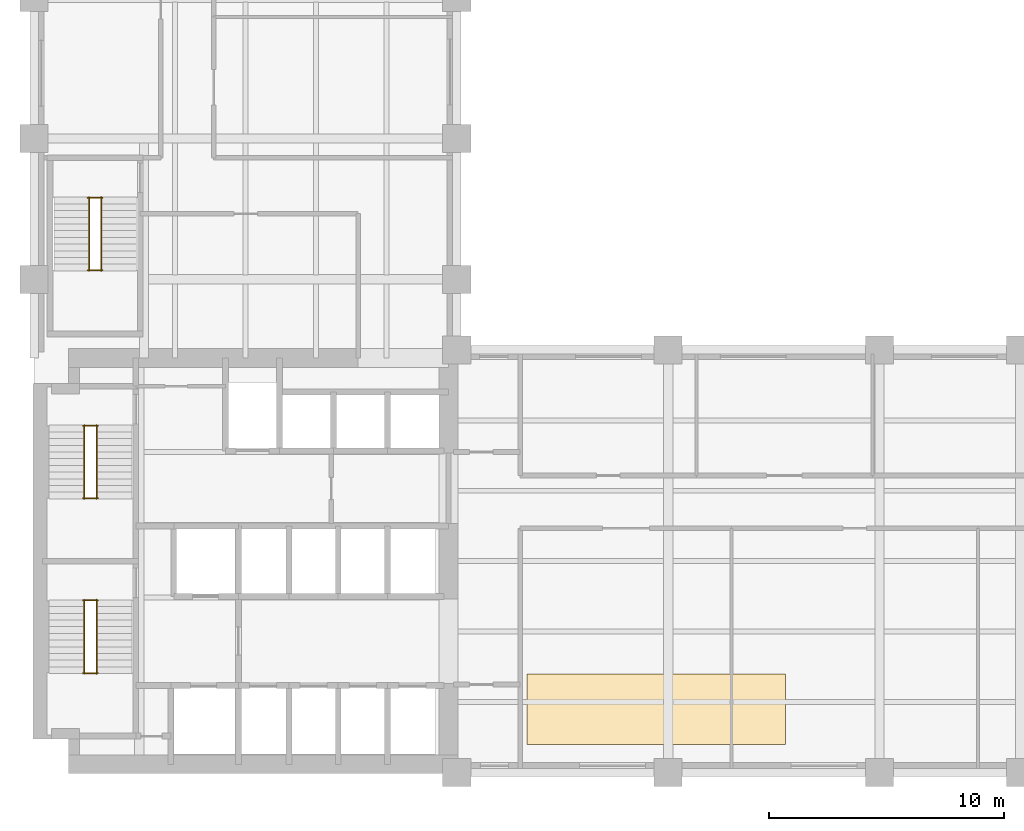
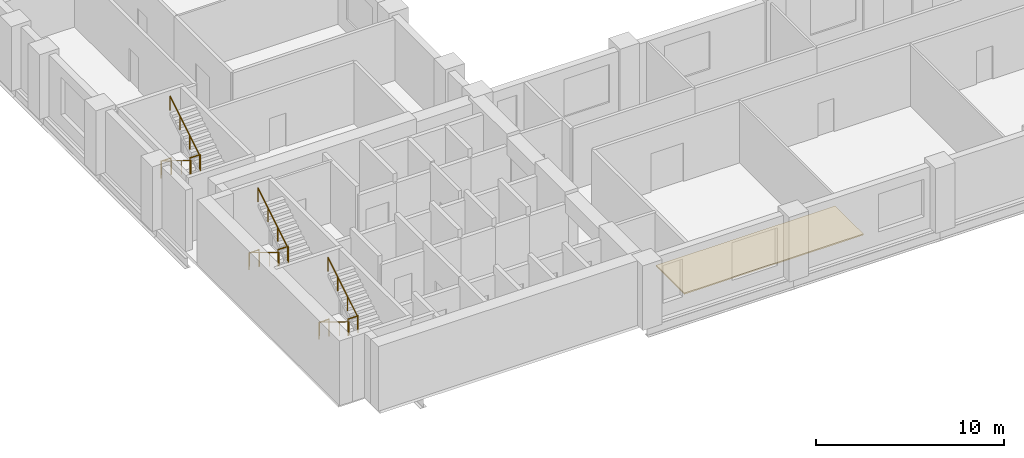
# One storey, part 7 of 7: 12 railings, 1 covering.
"""IFC4 building model written with IfcOpenShell, lengths in metres."""

from ifc_helpers import new_model, si_unit, direction, frame, origin, origin_2d, place, context, subcontext, project, spatial, polyline, circle, outline, extrude, material, layer, layer_set, type_object, element, save


model = new_model("IFC4")

# Units and contexts
model_context = context("Model", 3, precision=1e-05, world=origin(), true_north=direction((0.0, 1.0)))
body_context = subcontext(model_context, "Body", "Model", "MODEL_VIEW")
ifc_project = project(units=[si_unit("LENGTHUNIT", "METRE"), si_unit("AREAUNIT", "SQUARE_METRE"), si_unit("VOLUMEUNIT", "CUBIC_METRE"), si_unit("PLANEANGLEUNIT", "RADIAN"), si_unit("MASSUNIT", "GRAM", prefix="KILO")], contexts=[model_context])

# Site, building, storey
site_placement = place(None, origin())
site = spatial("IfcSite", under=ifc_project, at=site_placement, CompositionType="ELEMENT")
building_placement = place(site_placement, origin())
building = spatial("IfcBuilding", under=site, at=building_placement, Name="Mawjdan Bourse Tower", CompositionType="ELEMENT")
storey_placement = place(building_placement, frame((0.0, 0.0, 42.60009765625)))
storey = spatial("IfcBuildingStorey", under=building, at=storey_placement, Name="L09", CompositionType="ELEMENT", Elevation=42.60009765625)

# Covering
ifc_material_1 = material(Name="Calcium Sulphate Antistatic Raised Floor Tile")
ifc_layer = layer(ifc_material_1, 0.080078125)
ifc_layer_set = layer_set([ifc_layer], Name="Calcium Sulphate Antistatic Raised Floor Tile")
covering_type = type_object("IfcCoveringType", Name="COV-FLR-450", PredefinedType="FLOORING", material=ifc_layer_set)
covering_placement = place(storey_placement, origin())
element("IfcCovering", 1, at=covering_placement, inside=storey, type_object=covering_type, Name="L09 Antistatic Raised Access Trading Floor", PredefinedType="FLOORING", context=body_context, shape_type="SweptSolid", body=[
    extrude(outline(polyline([(27.0, 4.199951171875), (38.0, 4.199951171875), (38.0, 7.199951171875), (27.0, 7.199951171875), (27.0, 4.199951171875)])), origin(), (0.0, 0.0, 1.0), 0.079833984375),
])

# Railings
ifc_material_2 = material(Name="Structural Steel S355", Category="steel")
railing_type_1 = type_object("IfcRailingType", Name="RLG-GRD-1100", PredefinedType="GUARDRAIL", material=ifc_material_2)
for number, where, name in (
    (2, (8.090087890625, 7.235107421875, 2.099853515625), "L09 ST1 Landing Guardrail GL-MID"),
    (3, (8.090087890625, 10.330078125, 0.0), "L09 ST1 Landing Guardrail GL-BOT"),
    (4, (8.090087890625, 14.675048828125, 2.099853515625), "L09 ST2 Landing Guardrail GL-MID"),
    (5, (8.090087890625, 17.77001953125, 0.0), "L09 ST2 Landing Guardrail GL-BOT"),
    (6, (8.2900390625, 24.385009765625, 2.099853515625), "L09 ST3 Landing Guardrail GL-MID"),
    (7, (8.2900390625, 27.47998046875, 0.0), "L09 ST3 Landing Guardrail GL-BOT"),
):
    element("IfcRailing", number, at=place(storey_placement, frame(where)), inside=storey, type_object=railing_type_1, Name=name, PredefinedType="GUARDRAIL", context=body_context, shape_type="SweptSolid", body=[
        extrude(circle(Radius=0.02490234375, at=origin_2d()), frame((0.0, 0.0, 1.0751953125), z_axis=(1.0, 0.0, 0.0), x_axis=(0.0, 1.0, 0.0)), (0.0, 0.0, 1.0), 0.619873046875),
        extrude(circle(Radius=0.02099609375, at=origin_2d()), origin(), (0.0, 0.0, 1.0), 1.050048828125),
        extrude(circle(Radius=0.02099609375, at=origin_2d()), frame((0.619873046875, 0.0, 0.0)), (0.0, 0.0, 1.0), 1.050048828125),
    ])
ifc_material_3 = material(Name="Brushed Stainless Steel", Category="steel")
railing_type_2 = type_object("IfcRailingType", Name="RLG-HND-920", PredefinedType="HANDRAIL", material=ifc_material_3)
railing_1_placement = place(storey_placement, frame((8.139892578125, 10.35009765625, 0.1748046875)))
element("IfcRailing", 8, at=railing_1_placement, inside=storey, type_object=railing_type_2, Name="L09 ST1 Flight Handrail HR1", PredefinedType="HANDRAIL", context=body_context, shape_type="SweptSolid", body=[
    extrude(circle(Radius=0.0224609375, at=origin_2d()), frame((0.0, 0.0, 0.8974609375), z_axis=(0.0, -0.852166034122, 0.523271488128), x_axis=(1.0, 0.0, 0.0)), (0.0, 0.0, 1.0), 3.678955078125),
    extrude(circle(Radius=0.01904296875, at=origin_2d()), origin(), (0.0, 0.0, 1.0), 0.875),
    extrude(circle(Radius=0.01904296875, at=origin_2d()), frame((0.0, -1.044921875, 0.6416015625)), (0.0, 0.0, 1.0), 0.875),
    extrude(circle(Radius=0.01904296875, at=origin_2d()), frame((0.0, -2.090087890625, 1.283447265625)), (0.0, 0.0, 1.0), 0.875),
    extrude(circle(Radius=0.01904296875, at=origin_2d()), frame((0.0, -3.135009765625, 1.925048828125)), (0.0, 0.0, 1.0), 0.875),
])
railing_2_placement = place(storey_placement, frame((8.659912109375, 7.215087890625, 2.27490234375)))
element("IfcRailing", 9, at=railing_2_placement, inside=storey, type_object=railing_type_2, Name="L09 ST1 Flight Handrail HR2", PredefinedType="HANDRAIL", context=body_context, shape_type="SweptSolid", body=[
    extrude(circle(Radius=0.0224609375, at=origin_2d()), frame((0.0, 0.0, 0.8974609375), z_axis=(0.0, 0.852166034122, 0.523271488128), x_axis=(-1.0, 0.0, 0.0)), (0.0, 0.0, 1.0), 3.678955078125),
    extrude(circle(Radius=0.01904296875, at=origin_2d()), origin(), (0.0, 0.0, 1.0), 0.875),
    extrude(circle(Radius=0.01904296875, at=origin_2d()), frame((0.0, 1.044921875, 0.6416015625)), (0.0, 0.0, 1.0), 0.875),
    extrude(circle(Radius=0.01904296875, at=origin_2d()), frame((0.0, 2.090087890625, 1.283447265625)), (0.0, 0.0, 1.0), 0.875),
    extrude(circle(Radius=0.01904296875, at=origin_2d()), frame((0.0, 3.135009765625, 1.925048828125)), (0.0, 0.0, 1.0), 0.875),
])
railing_3_placement = place(storey_placement, frame((8.139892578125, 17.7900390625, 0.1748046875)))
element("IfcRailing", 10, at=railing_3_placement, inside=storey, type_object=railing_type_2, Name="L09 ST2 Flight Handrail HR1", PredefinedType="HANDRAIL", context=body_context, shape_type="SweptSolid", body=[
    extrude(circle(Radius=0.0224609375, at=origin_2d()), frame((0.0, 0.0, 0.8974609375), z_axis=(0.0, -0.852166034122, 0.523271488128), x_axis=(1.0, 0.0, 0.0)), (0.0, 0.0, 1.0), 3.678955078125),
    extrude(circle(Radius=0.01904296875, at=origin_2d()), origin(), (0.0, 0.0, 1.0), 0.875),
    extrude(circle(Radius=0.01904296875, at=origin_2d()), frame((0.0, -1.044921875, 0.6416015625)), (0.0, 0.0, 1.0), 0.875),
    extrude(circle(Radius=0.01904296875, at=origin_2d()), frame((0.0, -2.090087890625, 1.283447265625)), (0.0, 0.0, 1.0), 0.875),
    extrude(circle(Radius=0.01904296875, at=origin_2d()), frame((0.0, -3.135009765625, 1.925048828125)), (0.0, 0.0, 1.0), 0.875),
])
railing_4_placement = place(storey_placement, frame((8.659912109375, 14.655029296875, 2.27490234375)))
element("IfcRailing", 11, at=railing_4_placement, inside=storey, type_object=railing_type_2, Name="L09 ST2 Flight Handrail HR2", PredefinedType="HANDRAIL", context=body_context, shape_type="SweptSolid", body=[
    extrude(circle(Radius=0.0224609375, at=origin_2d()), frame((0.0, 0.0, 0.8974609375), z_axis=(0.0, 0.852166034122, 0.523271488128), x_axis=(-1.0, 0.0, 0.0)), (0.0, 0.0, 1.0), 3.678955078125),
    extrude(circle(Radius=0.01904296875, at=origin_2d()), origin(), (0.0, 0.0, 1.0), 0.875),
    extrude(circle(Radius=0.01904296875, at=origin_2d()), frame((0.0, 1.044921875, 0.6416015625)), (0.0, 0.0, 1.0), 0.875),
    extrude(circle(Radius=0.01904296875, at=origin_2d()), frame((0.0, 2.090087890625, 1.283447265625)), (0.0, 0.0, 1.0), 0.875),
    extrude(circle(Radius=0.01904296875, at=origin_2d()), frame((0.0, 3.135009765625, 1.925048828125)), (0.0, 0.0, 1.0), 0.875),
])
railing_5_placement = place(storey_placement, frame((8.340087890625, 27.5, 0.1748046875)))
element("IfcRailing", 12, at=railing_5_placement, inside=storey, type_object=railing_type_2, Name="L09 ST3 Flight Handrail HR1", PredefinedType="HANDRAIL", context=body_context, shape_type="SweptSolid", body=[
    extrude(circle(Radius=0.0224609375, at=origin_2d()), frame((0.0, 0.0, 0.8974609375), z_axis=(0.0, -0.852166034122, 0.523271488128), x_axis=(1.0, 0.0, 0.0)), (0.0, 0.0, 1.0), 3.678955078125),
    extrude(circle(Radius=0.01904296875, at=origin_2d()), origin(), (0.0, 0.0, 1.0), 0.875),
    extrude(circle(Radius=0.01904296875, at=origin_2d()), frame((0.0, -1.044921875, 0.6416015625)), (0.0, 0.0, 1.0), 0.875),
    extrude(circle(Radius=0.01904296875, at=origin_2d()), frame((0.0, -2.090087890625, 1.283447265625)), (0.0, 0.0, 1.0), 0.875),
    extrude(circle(Radius=0.01904296875, at=origin_2d()), frame((0.0, -3.135009765625, 1.925048828125)), (0.0, 0.0, 1.0), 0.875),
])
railing_6_placement = place(storey_placement, frame((8.860107421875, 24.364990234375, 2.27490234375)))
element("IfcRailing", 13, at=railing_6_placement, inside=storey, type_object=railing_type_2, Name="L09 ST3 Flight Handrail HR2", PredefinedType="HANDRAIL", context=body_context, shape_type="SweptSolid", body=[
    extrude(circle(Radius=0.0224609375, at=origin_2d()), frame((0.0, 0.0, 0.8974609375), z_axis=(0.0, 0.852166034122, 0.523271488128), x_axis=(-1.0, 0.0, 0.0)), (0.0, 0.0, 1.0), 3.678955078125),
    extrude(circle(Radius=0.01904296875, at=origin_2d()), origin(), (0.0, 0.0, 1.0), 0.875),
    extrude(circle(Radius=0.01904296875, at=origin_2d()), frame((0.0, 1.044921875, 0.6416015625)), (0.0, 0.0, 1.0), 0.875),
    extrude(circle(Radius=0.01904296875, at=origin_2d()), frame((0.0, 2.090087890625, 1.283447265625)), (0.0, 0.0, 1.0), 0.875),
    extrude(circle(Radius=0.01904296875, at=origin_2d()), frame((0.0, 3.135009765625, 1.925048828125)), (0.0, 0.0, 1.0), 0.875),
])

save(model, "model.ifc")
